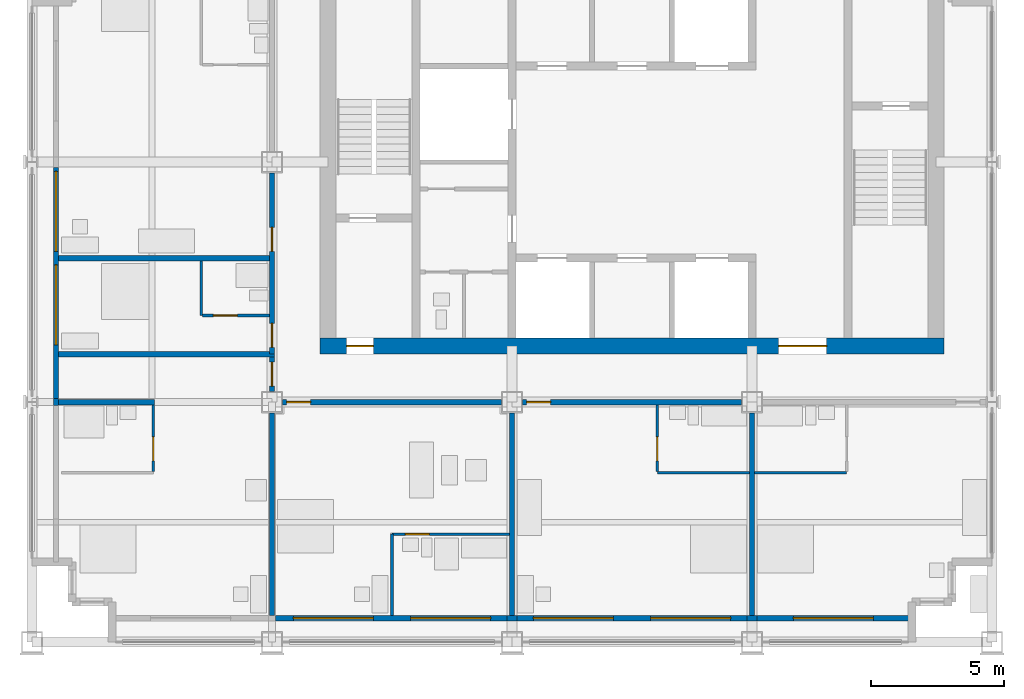
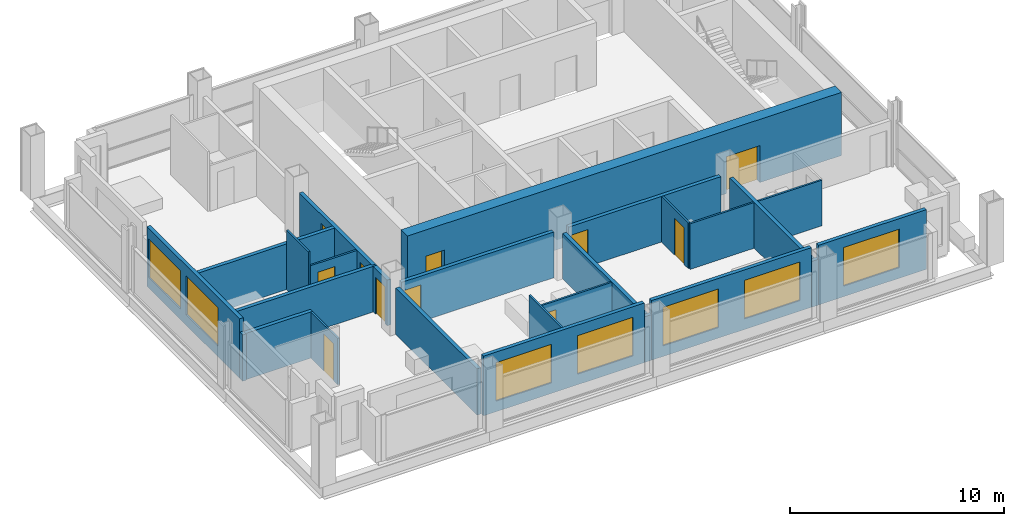
# One storey, part 6 of 11: 26 walls, 11 doors, 7 windows, 18 openings.
"""IFC4 building model written with IfcOpenShell, lengths in metres."""

from ifc_helpers import new_model, si_unit, direction, frame, frame_2d, origin, place, context, subcontext, project, spatial, rectangle, extrude, material, layer, layer_set, type_object, element, fill, save


model = new_model("IFC4")

# Units and contexts
model_context = context("Model", 3, precision=1e-05, world=origin(), true_north=direction((0.0, 1.0)))
body_context = subcontext(model_context, "Body", "Model", "MODEL_VIEW")
ifc_project = project(units=[si_unit("LENGTHUNIT", "METRE"), si_unit("AREAUNIT", "SQUARE_METRE"), si_unit("VOLUMEUNIT", "CUBIC_METRE"), si_unit("PLANEANGLEUNIT", "RADIAN"), si_unit("MASSUNIT", "GRAM", prefix="KILO")], contexts=[model_context])

# Site, building, storey
site_placement = place(None, origin())
site = spatial("IfcSite", under=ifc_project, at=site_placement, CompositionType="ELEMENT")
building_placement = place(site_placement, origin())
building = spatial("IfcBuilding", under=site, at=building_placement, Name="Loomwork Tower", CompositionType="ELEMENT")
storey_placement = place(building_placement, frame((0.0, 0.0, 244.60009765625)))
storey = spatial("IfcBuildingStorey", under=building, at=storey_placement, Name="L67", CompositionType="ELEMENT", Elevation=244.60009765625)

# Wall, openings, doors
ifc_material_1 = material(Name="Concrete 14000 psi (97 MPa)", Category="concrete")
ifc_layer_1 = layer(ifc_material_1, 0.60009765625)
ifc_layer_set_1 = layer_set([ifc_layer_1], Name="Core shear wall 600")
wall_type_1 = type_object("IfcWallType", Name="Core shear wall 600", PredefinedType="SHEAR", material=ifc_layer_set_1)
wall_1_placement = place(storey_placement, frame((10.800048828125, 11.10009765625, 0.0), z_axis=(0.0, 0.0, 1.0), x_axis=(1.0, 0.0, 0.0)))
wall_1 = element("IfcWall", 1, at=wall_1_placement, inside=storey, type_object=wall_type_1, Name="Core wall south L67", PredefinedType="SHEAR", context=body_context, shape_type="SweptSolid", body=[
    extrude(rectangle(XDim=23.39990234375, YDim=0.60009765625, at=frame_2d((11.699951171875, 0.0))), origin(), (0.0, 0.0, 1.0), 3.599853515625),
])
opening_1_placement = place(wall_1_placement, frame((1.0, 0.0, 0.0)))
opening_1 = element("IfcOpeningElement", 2, at=opening_1_placement, cuts=wall_1, Name="Opening D4", PredefinedType="OPENING", context=body_context, shape_type="SweptSolid", body=[
    extrude(rectangle(XDim=1.0, YDim=2.10009765625, at=frame_2d((0.5, 1.050048828125))), frame((0.0, 0.31005859375, 0.0), z_axis=(0.0, -1.0, 0.0), x_axis=(1.0, 0.0, 0.0)), (0.0, 0.0, 1.0), 0.6201171875),
])
opening_2_placement = place(wall_1_placement, frame((17.199951171875, 0.0, 0.0)))
opening_2 = element("IfcOpeningElement", 3, at=opening_2_placement, cuts=wall_1, Name="Opening D6", PredefinedType="OPENING", context=body_context, shape_type="SweptSolid", body=[
    extrude(rectangle(XDim=1.800048828125, YDim=2.10009765625, at=frame_2d((0.89990234375, 1.050048828125))), frame((0.0, 0.31005859375, 0.0), z_axis=(0.0, -1.0, 0.0), x_axis=(1.0, 0.0, 0.0)), (0.0, 0.0, 1.0), 0.6201171875),
])
ifc_material_2 = material(Name="Hollow metal door and frame")
door_type_1 = type_object("IfcDoorType", Name="Lobby passage double door 1800", OperationType="DOUBLE_DOOR_SINGLE_SWING", PredefinedType="DOOR", material=ifc_material_2)
door_1_placement = place(opening_2_placement, origin())
door_1 = element("IfcDoor", 4, at=door_1_placement, inside=storey, type_object=door_type_1, Name="Lobby passage door south", OperationType="DOUBLE_DOOR_SINGLE_SWING", OverallHeight=2.10009765625, OverallWidth=1.800048828125, PredefinedType="DOOR", context=body_context, shape_type="SweptSolid", body=[
    extrude(rectangle(XDim=1.800048828125, YDim=2.10009765625, at=frame_2d((0.89990234375, 1.050048828125))), frame((0.0, 0.02490234375, 0.0), z_axis=(0.0, -1.0, 0.0), x_axis=(1.0, 0.0, 0.0)), (0.0, 0.0, 1.0), 0.050048828125),
])
fill(opening_2, door_1)
ifc_material_3 = material(Name="Hollow metal door and frame")
door_type_2 = type_object("IfcDoorType", Name="Stair door 1000", OperationType="SINGLE_SWING_RIGHT", PredefinedType="DOOR", material=ifc_material_3)
door_2_placement = place(opening_1_placement, origin())
door_2 = element("IfcDoor", 5, at=door_2_placement, inside=storey, type_object=door_type_2, Name="Stair A vestibule door", OperationType="SINGLE_SWING_LEFT", OverallHeight=2.10009765625, OverallWidth=1.0, PredefinedType="DOOR", context=body_context, shape_type="SweptSolid", body=[
    extrude(rectangle(XDim=1.0, YDim=2.10009765625, at=frame_2d((0.5, 1.050048828125))), frame((0.0, 0.02490234375, 0.0), z_axis=(0.0, -1.0, 0.0), x_axis=(1.0, 0.0, 0.0)), (0.0, 0.0, 1.0), 0.050048828125),
])
fill(opening_1, door_2)

# Wall
ifc_material_4 = material(Name="Gypsum board on steel studs, one-hour", Category="steel")
ifc_layer_2 = layer(ifc_material_4, 0.199951171875)
ifc_layer_set_2 = layer_set([ifc_layer_2], Name="Corridor wall 200")
wall_type_2 = type_object("IfcWallType", Name="Corridor wall 200", PredefinedType="PARTITIONING", material=ifc_layer_set_2)
wall_2_placement = place(storey_placement, frame((1.0, 9.0, 0.0), z_axis=(0.0, 0.0, 1.0), x_axis=(1.0, 0.0, 0.0)))
element("IfcWall", 6, at=wall_2_placement, inside=storey, type_object=wall_type_2, Name="South corridor wall 1", PredefinedType="PARTITIONING", context=body_context, shape_type="SweptSolid", body=[
    extrude(rectangle(XDim=3.60009765625, YDim=0.199951171875, at=frame_2d((1.800048828125, 0.0))), origin(), (0.0, 0.0, 1.0), 2.637939453125),
])

# Wall, opening, door
wall_3_placement = place(storey_placement, frame((9.39990234375, 9.0, 0.0), z_axis=(0.0, 0.0, 1.0), x_axis=(1.0, 0.0, 0.0)))
wall_3 = element("IfcWall", 7, at=wall_3_placement, inside=storey, type_object=wall_type_2, Name="South corridor wall 2", PredefinedType="PARTITIONING", context=body_context, shape_type="SweptSolid", body=[
    extrude(rectangle(XDim=8.2001953125, YDim=0.199951171875, at=frame_2d((4.10009765625, 0.0))), origin(), (0.0, 0.0, 1.0), 2.60498046875),
])
opening_3_placement = place(wall_3_placement, frame((0.14990234375, 0.0, 0.0)))
opening_3 = element("IfcOpeningElement", 8, at=opening_3_placement, cuts=wall_3, Name="Opening D1", PredefinedType="OPENING", context=body_context, shape_type="SweptSolid", body=[
    extrude(rectangle(XDim=0.89990234375, YDim=2.10009765625, at=frame_2d((0.449951171875, 1.050048828125))), frame((0.0, 0.10986328125, 0.0), z_axis=(0.0, -1.0, 0.0), x_axis=(1.0, 0.0, 0.0)), (0.0, 0.0, 1.0), 0.219970703125),
])
ifc_material_5 = material(Name="Hollow metal door and frame")
door_type_3 = type_object("IfcDoorType", Name="Guest room entry door 900", OperationType="SINGLE_SWING_LEFT", PredefinedType="DOOR", material=ifc_material_5)
door_3_placement = place(opening_3_placement, frame((0.89990234375, 0.0, 0.0), z_axis=(0.0, 0.0, 1.0), x_axis=(-1.0, 0.0, 0.0)))
door_3 = element("IfcDoor", 9, at=door_3_placement, inside=storey, type_object=door_type_3, Name="Guest room entry door L67 2", OperationType="SINGLE_SWING_RIGHT", OverallHeight=2.10009765625, OverallWidth=0.89990234375, PredefinedType="DOOR", context=body_context, shape_type="SweptSolid", body=[
    extrude(rectangle(XDim=0.89990234375, YDim=2.10009765625, at=frame_2d((0.449951171875, 1.050048828125))), frame((0.0, 0.02490234375, 0.0), z_axis=(0.0, -1.0, 0.0), x_axis=(1.0, 0.0, 0.0)), (0.0, 0.0, 1.0), 0.050048828125),
])
fill(opening_3, door_3)

wall_4_placement = place(storey_placement, frame((18.39990234375, 9.0, 0.0), z_axis=(0.0, 0.0, 1.0), x_axis=(1.0, 0.0, 0.0)))
wall_4 = element("IfcWall", 10, at=wall_4_placement, inside=storey, type_object=wall_type_2, Name="South corridor wall 3", PredefinedType="PARTITIONING", context=body_context, shape_type="SweptSolid", body=[
    extrude(rectangle(XDim=8.2001953125, YDim=0.199951171875, at=frame_2d((4.10009765625, 0.0))), origin(), (0.0, 0.0, 1.0), 2.60498046875),
])
opening_4_placement = place(wall_4_placement, frame((0.14990234375, 0.0, 0.0)))
opening_4 = element("IfcOpeningElement", 11, at=opening_4_placement, cuts=wall_4, Name="Opening D1", PredefinedType="OPENING", context=body_context, shape_type="SweptSolid", body=[
    extrude(rectangle(XDim=0.89990234375, YDim=2.10009765625, at=frame_2d((0.449951171875, 1.050048828125))), frame((0.0, 0.10986328125, 0.0), z_axis=(0.0, -1.0, 0.0), x_axis=(1.0, 0.0, 0.0)), (0.0, 0.0, 1.0), 0.219970703125),
])
door_4_placement = place(opening_4_placement, frame((0.89990234375, 0.0, 0.0), z_axis=(0.0, 0.0, 1.0), x_axis=(-1.0, 0.0, 0.0)))
door_4 = element("IfcDoor", 12, at=door_4_placement, inside=storey, type_object=door_type_3, Name="Guest room entry door L67 3", OperationType="SINGLE_SWING_RIGHT", OverallHeight=2.10009765625, OverallWidth=0.89990234375, PredefinedType="DOOR", context=body_context, shape_type="SweptSolid", body=[
    extrude(rectangle(XDim=0.89990234375, YDim=2.10009765625, at=frame_2d((0.449951171875, 1.050048828125))), frame((0.0, 0.02490234375, 0.0), z_axis=(0.0, -1.0, 0.0), x_axis=(1.0, 0.0, 0.0)), (0.0, 0.0, 1.0), 0.050048828125),
])
fill(opening_4, door_4)

# Wall, openings, doors
wall_5_placement = place(storey_placement, frame((9.0, 10.800048828125, 0.0), z_axis=(0.0, 0.0, 1.0), x_axis=(0.0, 1.0, 0.0)))
wall_5 = element("IfcWall", 13, at=wall_5_placement, inside=storey, type_object=wall_type_2, Name="West corridor wall 1", PredefinedType="PARTITIONING", context=body_context, shape_type="SweptSolid", body=[
    extrude(rectangle(XDim=6.800048828125, YDim=0.199951171875, at=frame_2d((3.39990234375, 0.0))), origin(), (0.0, 0.0, 1.0), 2.60498046875),
])
opening_5_placement = place(wall_5_placement, frame((0.25, 0.0, 0.0)))
opening_5 = element("IfcOpeningElement", 14, at=opening_5_placement, cuts=wall_5, Name="Opening D1", PredefinedType="OPENING", context=body_context, shape_type="SweptSolid", body=[
    extrude(rectangle(XDim=0.89990234375, YDim=2.10009765625, at=frame_2d((0.449951171875, 1.050048828125))), frame((0.0, 0.10986328125, 0.0), z_axis=(0.0, -1.0, 0.0), x_axis=(1.0, 0.0, 0.0)), (0.0, 0.0, 1.0), 0.219970703125),
])
opening_6_placement = place(wall_5_placement, frame((3.85009765625, 0.0, 0.0)))
opening_6 = element("IfcOpeningElement", 15, at=opening_6_placement, cuts=wall_5, Name="Opening D1", PredefinedType="OPENING", context=body_context, shape_type="SweptSolid", body=[
    extrude(rectangle(XDim=0.89990234375, YDim=2.10009765625, at=frame_2d((0.449951171875, 1.050048828125))), frame((0.0, 0.10986328125, 0.0), z_axis=(0.0, -1.0, 0.0), x_axis=(1.0, 0.0, 0.0)), (0.0, 0.0, 1.0), 0.219970703125),
])
door_5_placement = place(opening_5_placement, origin())
door_5 = element("IfcDoor", 16, at=door_5_placement, inside=storey, type_object=door_type_3, Name="Guest room entry door L67 5", OperationType="SINGLE_SWING_LEFT", OverallHeight=2.10009765625, OverallWidth=0.89990234375, PredefinedType="DOOR", context=body_context, shape_type="SweptSolid", body=[
    extrude(rectangle(XDim=0.89990234375, YDim=2.10009765625, at=frame_2d((0.449951171875, 1.050048828125))), frame((0.0, 0.02490234375, 0.0), z_axis=(0.0, -1.0, 0.0), x_axis=(1.0, 0.0, 0.0)), (0.0, 0.0, 1.0), 0.050048828125),
])
fill(opening_5, door_5)
door_6_placement = place(opening_6_placement, origin())
door_6 = element("IfcDoor", 17, at=door_6_placement, inside=storey, type_object=door_type_3, Name="Guest room entry door L67 6", OperationType="SINGLE_SWING_LEFT", OverallHeight=2.10009765625, OverallWidth=0.89990234375, PredefinedType="DOOR", context=body_context, shape_type="SweptSolid", body=[
    extrude(rectangle(XDim=0.89990234375, YDim=2.10009765625, at=frame_2d((0.449951171875, 1.050048828125))), frame((0.0, 0.02490234375, 0.0), z_axis=(0.0, -1.0, 0.0), x_axis=(1.0, 0.0, 0.0)), (0.0, 0.0, 1.0), 0.050048828125),
])
fill(opening_6, door_6)

# Wall
wall_6_placement = place(storey_placement, frame((1.0, 10.800048828125, 0.0), z_axis=(0.0, 0.0, 1.0), x_axis=(1.0, 0.0, 0.0)))
element("IfcWall", 18, at=wall_6_placement, inside=storey, type_object=wall_type_2, Name="West band end wall S", PredefinedType="PARTITIONING", context=body_context, shape_type="SweptSolid", body=[
    extrude(rectangle(XDim=8.10009765625, YDim=0.199951171875, at=frame_2d((4.050048828125, 0.0))), origin(), (0.0, 0.0, 1.0), 2.60400390625),
])

# Wall, opening, door
wall_7_placement = place(storey_placement, frame((9.0, 9.39990234375, 0.0), z_axis=(0.0, 0.0, 1.0), x_axis=(0.0, 1.0, 0.0)))
wall_7 = element("IfcWall", 19, at=wall_7_placement, inside=storey, type_object=wall_type_2, Name="Corner suite foyer wall", PredefinedType="PARTITIONING", context=body_context, shape_type="SweptSolid", body=[
    extrude(rectangle(XDim=1.300048828125, YDim=0.199951171875, at=frame_2d((0.64990234375, 0.0))), origin(), (0.0, 0.0, 1.0), 2.60498046875),
])
opening_7_placement = place(wall_7_placement, frame((0.199951171875, 0.0, 0.0)))
opening_7 = element("IfcOpeningElement", 20, at=opening_7_placement, cuts=wall_7, Name="Opening D1", PredefinedType="OPENING", context=body_context, shape_type="SweptSolid", body=[
    extrude(rectangle(XDim=0.89990234375, YDim=2.10009765625, at=frame_2d((0.449951171875, 1.050048828125))), frame((0.0, 0.10986328125, 0.0), z_axis=(0.0, -1.0, 0.0), x_axis=(1.0, 0.0, 0.0)), (0.0, 0.0, 1.0), 0.219970703125),
])
door_7_placement = place(opening_7_placement, origin())
door_7 = element("IfcDoor", 21, at=door_7_placement, inside=storey, type_object=door_type_3, Name="Guest room entry door L67 1", OperationType="SINGLE_SWING_RIGHT", OverallHeight=2.10009765625, OverallWidth=0.89990234375, PredefinedType="DOOR", context=body_context, shape_type="SweptSolid", body=[
    extrude(rectangle(XDim=0.89990234375, YDim=2.10009765625, at=frame_2d((0.449951171875, 1.050048828125))), frame((0.0, 0.02490234375, 0.0), z_axis=(0.0, -1.0, 0.0), x_axis=(1.0, 0.0, 0.0)), (0.0, 0.0, 1.0), 0.050048828125),
])
fill(opening_7, door_7)

ifc_material_6 = material(Name="Cement board on steel studs", Category="steel")
ifc_layer_3 = layer(ifc_material_6, 0.10009765625)
ifc_layer_set_3 = layer_set([ifc_layer_3], Name="En-suite partition 100")
wall_type_3 = type_object("IfcWallType", Name="En-suite partition 100", PredefinedType="PARTITIONING", material=ifc_layer_set_3)
wall_8_placement = place(storey_placement, frame((4.550048828125, 8.89990234375, 0.0), z_axis=(0.0, 0.0, 1.0), x_axis=(0.0, -1.0, 0.0)))
wall_8 = element("IfcWall", 22, at=wall_8_placement, inside=storey, type_object=wall_type_3, Name="En-suite side wall L67 room 1", PredefinedType="PARTITIONING", context=body_context, shape_type="SweptSolid", body=[
    extrude(rectangle(XDim=2.5, YDim=0.10009765625, at=frame_2d((1.25, 0.0))), origin(), (0.0, 0.0, 1.0), 2.637939453125),
])
opening_8_placement = place(wall_8_placement, frame((1.199951171875, 0.0, 0.0)))
opening_8 = element("IfcOpeningElement", 23, at=opening_8_placement, cuts=wall_8, Name="Opening D3", PredefinedType="OPENING", context=body_context, shape_type="SweptSolid", body=[
    extrude(rectangle(XDim=0.89990234375, YDim=2.10009765625, at=frame_2d((0.449951171875, 1.050048828125))), frame((0.0, 0.06005859375, 0.0), z_axis=(0.0, -1.0, 0.0), x_axis=(1.0, 0.0, 0.0)), (0.0, 0.0, 1.0), 0.1201171875),
])
ifc_material_7 = material(Name="Hollow metal door and frame")
door_type_4 = type_object("IfcDoorType", Name="Accessible en-suite door 900", OperationType="SLIDING_TO_LEFT", PredefinedType="DOOR", material=ifc_material_7)
door_8_placement = place(opening_8_placement, origin())
door_8 = element("IfcDoor", 24, at=door_8_placement, inside=storey, type_object=door_type_4, Name="Accessible en-suite door room 1", OperationType="SLIDING_TO_LEFT", OverallHeight=2.10009765625, OverallWidth=0.89990234375, PredefinedType="DOOR", context=body_context, shape_type="SweptSolid", body=[
    extrude(rectangle(XDim=0.89990234375, YDim=2.10009765625, at=frame_2d((0.449951171875, 1.050048828125))), frame((0.0, 0.02490234375, 0.0), z_axis=(0.0, -1.0, 0.0), x_axis=(1.0, 0.0, 0.0)), (0.0, 0.0, 1.0), 0.050048828125),
])
fill(opening_8, door_8)

wall_9_placement = place(storey_placement, frame((13.5, 4.050048828125, 0.0), z_axis=(0.0, 0.0, 1.0), x_axis=(1.0, 0.0, 0.0)))
wall_9 = element("IfcWall", 25, at=wall_9_placement, inside=storey, type_object=wall_type_3, Name="Spa bathroom wall L67 room 2", PredefinedType="PARTITIONING", context=body_context, shape_type="SweptSolid", body=[
    extrude(rectangle(XDim=4.39990234375, YDim=0.10009765625, at=frame_2d((2.199951171875, 0.0))), origin(), (0.0, 0.0, 1.0), 2.60400390625),
])
opening_9_placement = place(wall_9_placement, frame((0.5, 0.0, 0.0)))
opening_9 = element("IfcOpeningElement", 26, at=opening_9_placement, cuts=wall_9, Name="Opening D2", PredefinedType="OPENING", context=body_context, shape_type="SweptSolid", body=[
    extrude(rectangle(XDim=0.89990234375, YDim=2.10009765625, at=frame_2d((0.449951171875, 1.050048828125))), frame((0.0, 0.06005859375, 0.0), z_axis=(0.0, -1.0, 0.0), x_axis=(1.0, 0.0, 0.0)), (0.0, 0.0, 1.0), 0.1201171875),
])
ifc_material_8 = material(Name="Hollow metal door and frame")
door_type_5 = type_object("IfcDoorType", Name="En-suite door 900", OperationType="SINGLE_SWING_LEFT", PredefinedType="DOOR", material=ifc_material_8)
door_9_placement = place(opening_9_placement, frame((0.89990234375, 0.0, 0.0), z_axis=(0.0, 0.0, 1.0), x_axis=(-1.0, 0.0, 0.0)))
door_9 = element("IfcDoor", 27, at=door_9_placement, inside=storey, type_object=door_type_5, Name="Spa bathroom door room 2", OperationType="SINGLE_SWING_RIGHT", OverallHeight=2.10009765625, OverallWidth=0.89990234375, PredefinedType="DOOR", context=body_context, shape_type="SweptSolid", body=[
    extrude(rectangle(XDim=0.89990234375, YDim=2.10009765625, at=frame_2d((0.449951171875, 1.050048828125))), frame((0.0, 0.02490234375, 0.0), z_axis=(0.0, -1.0, 0.0), x_axis=(1.0, 0.0, 0.0)), (0.0, 0.0, 1.0), 0.050048828125),
])
fill(opening_9, door_9)

# Walls
wall_10_placement = place(storey_placement, frame((13.5, 4.050048828125, 0.0), z_axis=(0.0, 0.0, 1.0), x_axis=(0.0, -1.0, 0.0)))
element("IfcWall", 28, at=wall_10_placement, inside=storey, type_object=wall_type_3, Name="Spa bathroom side wall L67 room 2", PredefinedType="PARTITIONING", context=body_context, shape_type="SweptSolid", body=[
    extrude(rectangle(XDim=3.050048828125, YDim=0.10009765625, at=frame_2d((1.52490234375, 0.0))), origin(), (0.0, 0.0, 1.0), 3.39990234375),
])
wall_11_placement = place(storey_placement, frame((23.449951171875, 6.35009765625, 0.0), z_axis=(0.0, 0.0, 1.0), x_axis=(1.0, 0.0, 0.0)))
element("IfcWall", 29, at=wall_11_placement, inside=storey, type_object=wall_type_3, Name="En-suite wall L67 room 3", PredefinedType="PARTITIONING", context=body_context, shape_type="SweptSolid", body=[
    extrude(rectangle(XDim=3.449951171875, YDim=0.10009765625, at=frame_2d((1.72509765625, 0.0))), origin(), (0.0, 0.0, 1.0), 2.60400390625),
])

# Wall, opening, door
wall_12_placement = place(storey_placement, frame((23.449951171875, 8.89990234375, 0.0), z_axis=(0.0, 0.0, 1.0), x_axis=(0.0, -1.0, 0.0)))
wall_12 = element("IfcWall", 30, at=wall_12_placement, inside=storey, type_object=wall_type_3, Name="En-suite side wall L67 room 3", PredefinedType="PARTITIONING", context=body_context, shape_type="SweptSolid", body=[
    extrude(rectangle(XDim=2.5, YDim=0.10009765625, at=frame_2d((1.25, 0.0))), origin(), (0.0, 0.0, 1.0), 2.60400390625),
])
opening_10_placement = place(wall_12_placement, frame((1.199951171875, 0.0, 0.0)))
opening_10 = element("IfcOpeningElement", 31, at=opening_10_placement, cuts=wall_12, Name="Opening D2", PredefinedType="OPENING", context=body_context, shape_type="SweptSolid", body=[
    extrude(rectangle(XDim=0.89990234375, YDim=2.10009765625, at=frame_2d((0.449951171875, 1.050048828125))), frame((0.0, 0.06005859375, 0.0), z_axis=(0.0, -1.0, 0.0), x_axis=(1.0, 0.0, 0.0)), (0.0, 0.0, 1.0), 0.1201171875),
])
door_10_placement = place(opening_10_placement, origin())
door_10 = element("IfcDoor", 32, at=door_10_placement, inside=storey, type_object=door_type_5, Name="En-suite door room 3", OperationType="SINGLE_SWING_RIGHT", OverallHeight=2.10009765625, OverallWidth=0.89990234375, PredefinedType="DOOR", context=body_context, shape_type="SweptSolid", body=[
    extrude(rectangle(XDim=0.89990234375, YDim=2.10009765625, at=frame_2d((0.449951171875, 1.050048828125))), frame((0.0, 0.02490234375, 0.0), z_axis=(0.0, -1.0, 0.0), x_axis=(1.0, 0.0, 0.0)), (0.0, 0.0, 1.0), 0.050048828125),
])
fill(opening_10, door_10)

# Walls
wall_13_placement = place(storey_placement, frame((27.10009765625, 6.35009765625, 0.0), z_axis=(0.0, 0.0, 1.0), x_axis=(1.0, 0.0, 0.0)))
element("IfcWall", 33, at=wall_13_placement, inside=storey, type_object=wall_type_3, Name="En-suite wall L67 room 4", PredefinedType="PARTITIONING", context=body_context, shape_type="SweptSolid", body=[
    extrude(rectangle(XDim=3.449951171875, YDim=0.10009765625, at=frame_2d((1.72509765625, 0.0))), origin(), (0.0, 0.0, 1.0), 2.60400390625),
])
wall_14_placement = place(storey_placement, frame((6.35009765625, 12.25, 0.0), z_axis=(0.0, 0.0, 1.0), x_axis=(0.0, 1.0, 0.0)))
element("IfcWall", 34, at=wall_14_placement, inside=storey, type_object=wall_type_3, Name="En-suite wall L67 room 5", PredefinedType="PARTITIONING", context=body_context, shape_type="SweptSolid", body=[
    extrude(rectangle(XDim=2.050048828125, YDim=0.10009765625, at=frame_2d((1.02490234375, 0.0))), origin(), (0.0, 0.0, 1.0), 3.39990234375),
])

# Wall, opening, door
wall_15_placement = place(storey_placement, frame((8.89990234375, 12.25, 0.0), z_axis=(0.0, 0.0, 1.0), x_axis=(-1.0, 0.0, 0.0)))
wall_15 = element("IfcWall", 35, at=wall_15_placement, inside=storey, type_object=wall_type_3, Name="En-suite side wall L67 room 5", PredefinedType="PARTITIONING", context=body_context, shape_type="SweptSolid", body=[
    extrude(rectangle(XDim=2.5, YDim=0.10009765625, at=frame_2d((1.25, 0.0))), origin(), (0.0, 0.0, 1.0), 2.60400390625),
])
opening_11_placement = place(wall_15_placement, frame((1.199951171875, 0.0, 0.0)))
opening_11 = element("IfcOpeningElement", 36, at=opening_11_placement, cuts=wall_15, Name="Opening D2", PredefinedType="OPENING", context=body_context, shape_type="SweptSolid", body=[
    extrude(rectangle(XDim=0.89990234375, YDim=2.10009765625, at=frame_2d((0.449951171875, 1.050048828125))), frame((0.0, 0.06005859375, 0.0), z_axis=(0.0, -1.0, 0.0), x_axis=(1.0, 0.0, 0.0)), (0.0, 0.0, 1.0), 0.1201171875),
])
door_11_placement = place(opening_11_placement, frame((0.89990234375, 0.0, 0.0), z_axis=(0.0, 0.0, 1.0), x_axis=(-1.0, 0.0, 0.0)))
door_11 = element("IfcDoor", 37, at=door_11_placement, inside=storey, type_object=door_type_5, Name="En-suite door room 5", OperationType="SINGLE_SWING_LEFT", OverallHeight=2.10009765625, OverallWidth=0.89990234375, PredefinedType="DOOR", context=body_context, shape_type="SweptSolid", body=[
    extrude(rectangle(XDim=0.89990234375, YDim=2.10009765625, at=frame_2d((0.449951171875, 1.050048828125))), frame((0.0, 0.02490234375, 0.0), z_axis=(0.0, -1.0, 0.0), x_axis=(1.0, 0.0, 0.0)), (0.0, 0.0, 1.0), 0.050048828125),
])
fill(opening_11, door_11)

# Walls
ifc_material_9 = material(Name="Gypsum board on steel studs, acoustic", Category="steel")
ifc_layer_4 = layer(ifc_material_9, 0.199951171875)
ifc_layer_set_4 = layer_set([ifc_layer_4], Name="Guest room party wall 200")
wall_type_4 = type_object("IfcWallType", Name="Guest room party wall 200", PredefinedType="PARTITIONING", material=ifc_layer_set_4)
wall_16_placement = place(storey_placement, frame((9.0, 8.60009765625, 0.0), z_axis=(0.0, 0.0, 1.0), x_axis=(0.0, -1.0, 0.0)))
element("IfcWall", 38, at=wall_16_placement, inside=storey, type_object=wall_type_4, Name="Guest room party wall S 9", PredefinedType="PARTITIONING", context=body_context, shape_type="SweptSolid", body=[
    extrude(rectangle(XDim=7.60009765625, YDim=0.199951171875, at=frame_2d((3.800048828125, 0.0))), origin(), (0.0, 0.0, 1.0), 2.637939453125),
])
for number, where, z_axis, x_axis, name in (
    (39, (18.0, 8.60009765625, 0.0), (0.0, 0.0, 1.0), (0.0, -1.0, 0.0), "Guest room party wall S 18"),
    (40, (27.0, 8.60009765625, 0.0), (0.0, 0.0, 1.0), (0.0, -1.0, 0.0), "Guest room party wall S 27"),
):
    element("IfcWall", number, at=place(storey_placement, frame(where, z_axis=z_axis, x_axis=x_axis)), inside=storey, type_object=wall_type_4, Name=name, PredefinedType="PARTITIONING", context=body_context, shape_type="SweptSolid", body=[
        extrude(rectangle(XDim=7.60009765625, YDim=0.199951171875, at=frame_2d((3.800048828125, 0.0))), origin(), (0.0, 0.0, 1.0), 2.60498046875),
    ])
wall_17_placement = place(storey_placement, frame((8.89990234375, 14.39990234375, 0.0), z_axis=(0.0, 0.0, 1.0), x_axis=(-1.0, 0.0, 0.0)))
element("IfcWall", 41, at=wall_17_placement, inside=storey, type_object=wall_type_4, Name="Guest room party wall W 14.4", PredefinedType="PARTITIONING", context=body_context, shape_type="SweptSolid", body=[
    extrude(rectangle(XDim=7.89990234375, YDim=0.199951171875, at=frame_2d((3.949951171875, 0.0))), origin(), (0.0, 0.0, 1.0), 2.60400390625),
])

# Wall, openings, windows
ifc_material_10 = material(Name="Insulated steel stud wall with gypsum lining", Category="steel")
ifc_layer_5 = layer(ifc_material_10, 0.199951171875)
ifc_layer_set_5 = layer_set([ifc_layer_5], Name="Inner skin wall 200")
wall_type_5 = type_object("IfcWallType", Name="Inner skin wall 200", PredefinedType="SOLIDWALL", material=ifc_layer_set_5)
wall_18_placement = place(storey_placement, frame((9.13525390625, 0.89990234375, 0.0), z_axis=(0.0, 0.0, 1.0), x_axis=(1.0, 0.0, 0.0)))
wall_18 = element("IfcWall", 42, at=wall_18_placement, inside=storey, type_object=wall_type_5, Name="Inner skin wall S bay 3", PredefinedType="SOLIDWALL", context=body_context, shape_type="SweptSolid", body=[
    extrude(rectangle(XDim=8.6708984375, YDim=0.199951171875, at=frame_2d((4.33544921875, 0.0))), origin(), (0.0, 0.0, 1.0), 3.39990234375),
])
opening_12_placement = place(wall_18_placement, frame((0.664794921875, 0.0, 0.60009765625)))
opening_12 = element("IfcOpeningElement", 43, at=opening_12_placement, cuts=wall_18, Name="Opening CH1", PredefinedType="OPENING", context=body_context, shape_type="SweptSolid", body=[
    extrude(rectangle(XDim=3.0, YDim=2.199951171875, at=frame_2d((1.5, 1.10009765625))), frame((0.0, 0.10986328125, 0.0), z_axis=(0.0, -1.0, 0.0), x_axis=(1.0, 0.0, 0.0)), (0.0, 0.0, 1.0), 0.219970703125),
])
opening_13_placement = place(wall_18_placement, frame((5.064697265625, 0.0, 0.60009765625)))
opening_13 = element("IfcOpeningElement", 44, at=opening_13_placement, cuts=wall_18, Name="Opening CH1", PredefinedType="OPENING", context=body_context, shape_type="SweptSolid", body=[
    extrude(rectangle(XDim=3.0, YDim=2.199951171875, at=frame_2d((1.5, 1.10009765625))), frame((0.0, 0.10986328125, 0.0), z_axis=(0.0, -1.0, 0.0), x_axis=(1.0, 0.0, 0.0)), (0.0, 0.0, 1.0), 0.219970703125),
])
ifc_material_11 = material(Name="Aluminium frame with clear insulated glass", Category="aluminium")
window_type = type_object("IfcWindowType", Name="Chicago window 3000", PartitioningType="TRIPLE_PANEL_VERTICAL", PredefinedType="WINDOW", material=ifc_material_11)
window_1_placement = place(opening_12_placement, origin())
window_1 = element("IfcWindow", 45, at=window_1_placement, inside=storey, type_object=window_type, Name="Chicago window L67 bay 2", OverallHeight=2.199951171875, OverallWidth=3.0, PartitioningType="TRIPLE_PANEL_VERTICAL", PredefinedType="WINDOW", context=body_context, shape_type="SweptSolid", body=[
    extrude(rectangle(XDim=3.0, YDim=2.199951171875, at=frame_2d((1.5, 1.10009765625))), frame((0.0, 0.030029296875, 0.0), z_axis=(0.0, -1.0, 0.0), x_axis=(1.0, 0.0, 0.0)), (0.0, 0.0, 1.0), 0.06005859375),
])
fill(opening_12, window_1)
window_2_placement = place(opening_13_placement, origin())
window_2 = element("IfcWindow", 46, at=window_2_placement, inside=storey, type_object=window_type, Name="Chicago window L67 bay 2", OverallHeight=2.199951171875, OverallWidth=3.0, PartitioningType="TRIPLE_PANEL_VERTICAL", PredefinedType="WINDOW", context=body_context, shape_type="SweptSolid", body=[
    extrude(rectangle(XDim=3.0, YDim=2.199951171875, at=frame_2d((1.5, 1.10009765625))), frame((0.0, 0.030029296875, 0.0), z_axis=(0.0, -1.0, 0.0), x_axis=(1.0, 0.0, 0.0)), (0.0, 0.0, 1.0), 0.06005859375),
])
fill(opening_13, window_2)

# Wall
wall_19_placement = place(storey_placement, frame((17.80615234375, 0.89990234375, 0.0), z_axis=(0.0, 0.0, 1.0), x_axis=(1.0, 0.0, 0.0)))
element("IfcWall", 47, at=wall_19_placement, inside=storey, type_object=wall_type_5, Name="Inner skin wall S bay 4", PredefinedType="SOLIDWALL", context=body_context, shape_type="SweptSolid", body=[
    extrude(rectangle(XDim=0.3876953125, YDim=0.199951171875, at=frame_2d((0.19384765625, 0.0))), origin(), (0.0, 0.0, 1.0), 2.60400390625),
])

# Wall, openings, windows
wall_20_placement = place(storey_placement, frame((18.19384765625, 0.89990234375, 0.0), z_axis=(0.0, 0.0, 1.0), x_axis=(1.0, 0.0, 0.0)))
wall_20 = element("IfcWall", 48, at=wall_20_placement, inside=storey, type_object=wall_type_5, Name="Inner skin wall S bay 5", PredefinedType="SOLIDWALL", context=body_context, shape_type="SweptSolid", body=[
    extrude(rectangle(XDim=8.6123046875, YDim=0.199951171875, at=frame_2d((4.30615234375, 0.0))), origin(), (0.0, 0.0, 1.0), 3.39990234375),
])
opening_14_placement = place(wall_20_placement, frame((0.606201171875, 0.0, 0.60009765625)))
opening_14 = element("IfcOpeningElement", 49, at=opening_14_placement, cuts=wall_20, Name="Opening CH1", PredefinedType="OPENING", context=body_context, shape_type="SweptSolid", body=[
    extrude(rectangle(XDim=3.0, YDim=2.199951171875, at=frame_2d((1.5, 1.10009765625))), frame((0.0, 0.10986328125, 0.0), z_axis=(0.0, -1.0, 0.0), x_axis=(1.0, 0.0, 0.0)), (0.0, 0.0, 1.0), 0.219970703125),
])
opening_15_placement = place(wall_20_placement, frame((5.006103515625, 0.0, 0.60009765625)))
opening_15 = element("IfcOpeningElement", 50, at=opening_15_placement, cuts=wall_20, Name="Opening CH1", PredefinedType="OPENING", context=body_context, shape_type="SweptSolid", body=[
    extrude(rectangle(XDim=3.0, YDim=2.199951171875, at=frame_2d((1.5, 1.10009765625))), frame((0.0, 0.10986328125, 0.0), z_axis=(0.0, -1.0, 0.0), x_axis=(1.0, 0.0, 0.0)), (0.0, 0.0, 1.0), 0.219970703125),
])
window_3_placement = place(opening_14_placement, origin())
window_3 = element("IfcWindow", 51, at=window_3_placement, inside=storey, type_object=window_type, Name="Chicago window L67 bay 3", OverallHeight=2.199951171875, OverallWidth=3.0, PartitioningType="TRIPLE_PANEL_VERTICAL", PredefinedType="WINDOW", context=body_context, shape_type="SweptSolid", body=[
    extrude(rectangle(XDim=3.0, YDim=2.199951171875, at=frame_2d((1.5, 1.10009765625))), frame((0.0, 0.030029296875, 0.0), z_axis=(0.0, -1.0, 0.0), x_axis=(1.0, 0.0, 0.0)), (0.0, 0.0, 1.0), 0.06005859375),
])
fill(opening_14, window_3)
window_4_placement = place(opening_15_placement, origin())
window_4 = element("IfcWindow", 52, at=window_4_placement, inside=storey, type_object=window_type, Name="Chicago window L67 bay 3", OverallHeight=2.199951171875, OverallWidth=3.0, PartitioningType="TRIPLE_PANEL_VERTICAL", PredefinedType="WINDOW", context=body_context, shape_type="SweptSolid", body=[
    extrude(rectangle(XDim=3.0, YDim=2.199951171875, at=frame_2d((1.5, 1.10009765625))), frame((0.0, 0.030029296875, 0.0), z_axis=(0.0, -1.0, 0.0), x_axis=(1.0, 0.0, 0.0)), (0.0, 0.0, 1.0), 0.06005859375),
])
fill(opening_15, window_4)

# Wall
wall_21_placement = place(storey_placement, frame((26.80615234375, 0.89990234375, 0.0), z_axis=(0.0, 0.0, 1.0), x_axis=(1.0, 0.0, 0.0)))
element("IfcWall", 53, at=wall_21_placement, inside=storey, type_object=wall_type_5, Name="Inner skin wall S bay 6", PredefinedType="SOLIDWALL", context=body_context, shape_type="SweptSolid", body=[
    extrude(rectangle(XDim=0.3876953125, YDim=0.199951171875, at=frame_2d((0.19384765625, 0.0))), origin(), (0.0, 0.0, 1.0), 2.60400390625),
])

# Wall, opening, window
wall_22_placement = place(storey_placement, frame((27.19384765625, 0.89990234375, 0.0), z_axis=(0.0, 0.0, 1.0), x_axis=(1.0, 0.0, 0.0)))
wall_22 = element("IfcWall", 54, at=wall_22_placement, inside=storey, type_object=wall_type_5, Name="Inner skin wall S bay 7", PredefinedType="SOLIDWALL", context=body_context, shape_type="SweptSolid", body=[
    extrude(rectangle(XDim=5.80615234375, YDim=0.199951171875, at=frame_2d((2.903076171875, 0.0))), origin(), (0.0, 0.0, 1.0), 3.39990234375),
])
opening_16_placement = place(wall_22_placement, frame((1.356201171875, 0.0, 0.60009765625)))
opening_16 = element("IfcOpeningElement", 55, at=opening_16_placement, cuts=wall_22, Name="Opening CH1", PredefinedType="OPENING", context=body_context, shape_type="SweptSolid", body=[
    extrude(rectangle(XDim=3.0, YDim=2.199951171875, at=frame_2d((1.5, 1.10009765625))), frame((0.0, 0.10986328125, 0.0), z_axis=(0.0, -1.0, 0.0), x_axis=(1.0, 0.0, 0.0)), (0.0, 0.0, 1.0), 0.219970703125),
])
window_5_placement = place(opening_16_placement, origin())
window_5 = element("IfcWindow", 56, at=window_5_placement, inside=storey, type_object=window_type, Name="Chicago window L67 bay 4", OverallHeight=2.199951171875, OverallWidth=3.0, PartitioningType="TRIPLE_PANEL_VERTICAL", PredefinedType="WINDOW", context=body_context, shape_type="SweptSolid", body=[
    extrude(rectangle(XDim=3.0, YDim=2.199951171875, at=frame_2d((1.5, 1.10009765625))), frame((0.0, 0.030029296875, 0.0), z_axis=(0.0, -1.0, 0.0), x_axis=(1.0, 0.0, 0.0)), (0.0, 0.0, 1.0), 0.06005859375),
])
fill(opening_16, window_5)

# Wall
wall_23_placement = place(storey_placement, frame((0.89990234375, 8.86474609375, 0.0), z_axis=(0.0, 0.0, 1.0), x_axis=(0.0, 1.0, 0.0)))
element("IfcWall", 57, at=wall_23_placement, inside=storey, type_object=wall_type_5, Name="Inner skin wall W bay 4", PredefinedType="SOLIDWALL", context=body_context, shape_type="SweptSolid", body=[
    extrude(rectangle(XDim=0.2705078125, YDim=0.199951171875, at=frame_2d((0.13525390625, 0.0))), origin(), (0.0, 0.0, 1.0), 2.637939453125),
])

# Wall, openings, windows
wall_24_placement = place(storey_placement, frame((0.89990234375, 9.13525390625, 0.0), z_axis=(0.0, 0.0, 1.0), x_axis=(0.0, 1.0, 0.0)))
wall_24 = element("IfcWall", 58, at=wall_24_placement, inside=storey, type_object=wall_type_5, Name="Inner skin wall W bay 5", PredefinedType="SOLIDWALL", context=body_context, shape_type="SweptSolid", body=[
    extrude(rectangle(XDim=8.6708984375, YDim=0.199951171875, at=frame_2d((4.33544921875, 0.0))), origin(), (0.0, 0.0, 1.0), 3.39990234375),
])
opening_17_placement = place(wall_24_placement, frame((2.0146484375, 0.0, 0.60009765625)))
opening_17 = element("IfcOpeningElement", 59, at=opening_17_placement, cuts=wall_24, Name="Opening CH1", PredefinedType="OPENING", context=body_context, shape_type="SweptSolid", body=[
    extrude(rectangle(XDim=3.0, YDim=2.199951171875, at=frame_2d((1.5, 1.10009765625))), frame((0.0, 0.10986328125, 0.0), z_axis=(0.0, -1.0, 0.0), x_axis=(1.0, 0.0, 0.0)), (0.0, 0.0, 1.0), 0.219970703125),
])
opening_18_placement = place(wall_24_placement, frame((5.5146484375, 0.0, 0.60009765625)))
opening_18 = element("IfcOpeningElement", 60, at=opening_18_placement, cuts=wall_24, Name="Opening CH1", PredefinedType="OPENING", context=body_context, shape_type="SweptSolid", body=[
    extrude(rectangle(XDim=3.0, YDim=2.199951171875, at=frame_2d((1.5, 1.10009765625))), frame((0.0, 0.10986328125, 0.0), z_axis=(0.0, -1.0, 0.0), x_axis=(1.0, 0.0, 0.0)), (0.0, 0.0, 1.0), 0.219970703125),
])
window_6_placement = place(opening_17_placement, origin())
window_6 = element("IfcWindow", 61, at=window_6_placement, inside=storey, type_object=window_type, Name="Chicago window L67 bay 5", OverallHeight=2.199951171875, OverallWidth=3.0, PartitioningType="TRIPLE_PANEL_VERTICAL", PredefinedType="WINDOW", context=body_context, shape_type="SweptSolid", body=[
    extrude(rectangle(XDim=3.0, YDim=2.199951171875, at=frame_2d((1.5, 1.10009765625))), frame((0.0, 0.030029296875, 0.0), z_axis=(0.0, -1.0, 0.0), x_axis=(1.0, 0.0, 0.0)), (0.0, 0.0, 1.0), 0.06005859375),
])
fill(opening_17, window_6)
window_7_placement = place(opening_18_placement, origin())
window_7 = element("IfcWindow", 62, at=window_7_placement, inside=storey, type_object=window_type, Name="Chicago window L67 bay 5", OverallHeight=2.199951171875, OverallWidth=3.0, PartitioningType="TRIPLE_PANEL_VERTICAL", PredefinedType="WINDOW", context=body_context, shape_type="SweptSolid", body=[
    extrude(rectangle(XDim=3.0, YDim=2.199951171875, at=frame_2d((1.5, 1.10009765625))), frame((0.0, 0.030029296875, 0.0), z_axis=(0.0, -1.0, 0.0), x_axis=(1.0, 0.0, 0.0)), (0.0, 0.0, 1.0), 0.06005859375),
])
fill(opening_18, window_7)

save(model, "model.ifc")
